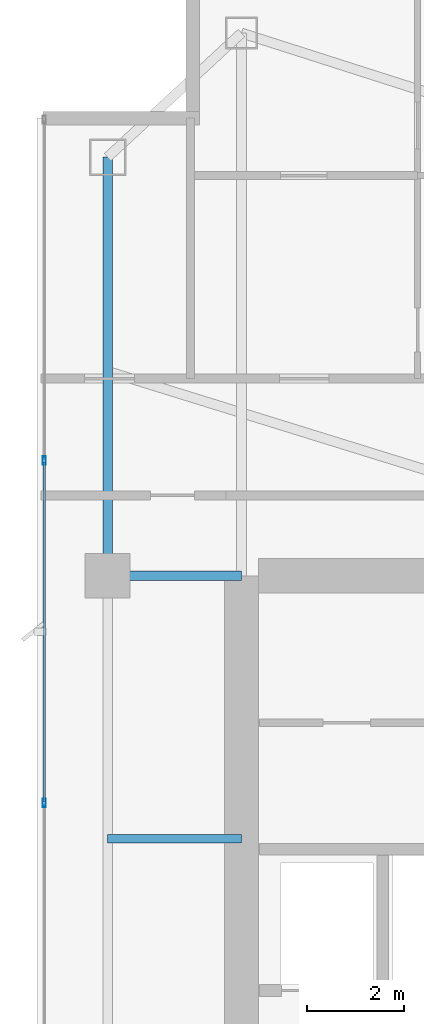
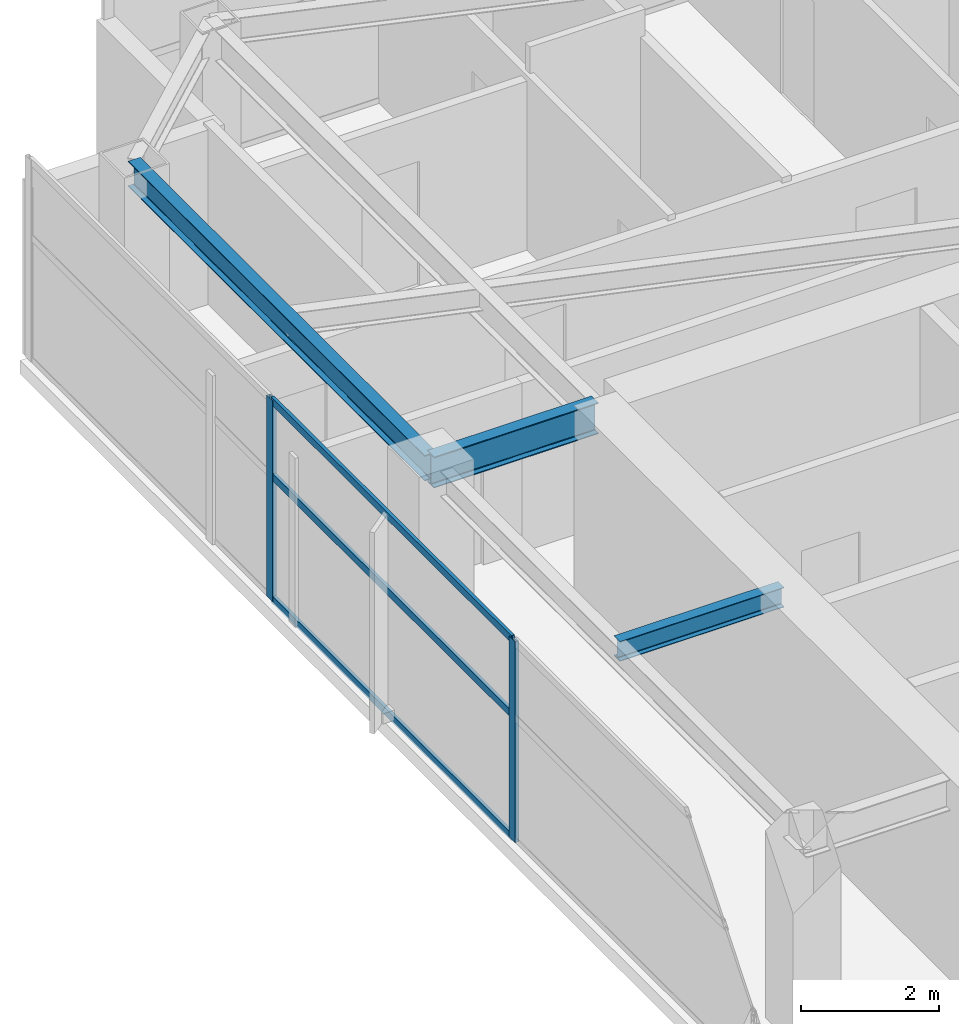
# One storey, part 16 of 29: 5 members, 3 beams, 1 element without a shape of its own.
"""IFC4 building model written with IfcOpenShell, lengths in metres."""

from ifc_helpers import new_model, si_unit, direction, frame, origin, origin_2d, place, context, subcontext, project, spatial, hollow_rectangle, i_section, extrude, material, layer, layer_set, material_profile, profile_set, type_object, element, aggregate, save


model = new_model("IFC4")

# Units and contexts
model_context = context("Model", 3, precision=1e-05, world=origin(), true_north=direction((0.0, 1.0)))
body_context = subcontext(model_context, "Body", "Model", "MODEL_VIEW")
ifc_project = project(units=[si_unit("LENGTHUNIT", "METRE"), si_unit("AREAUNIT", "SQUARE_METRE"), si_unit("VOLUMEUNIT", "CUBIC_METRE"), si_unit("PLANEANGLEUNIT", "RADIAN"), si_unit("MASSUNIT", "GRAM", prefix="KILO")], contexts=[model_context])

# Site, building, storey
site_placement = place(None, origin())
site = spatial("IfcSite", under=ifc_project, at=site_placement, CompositionType="ELEMENT")
building_placement = place(site_placement, origin())
building = spatial("IfcBuilding", under=site, at=building_placement, Name="Calvorn Quay Hotel", CompositionType="ELEMENT")
storey_placement = place(building_placement, frame((0.0, 0.0, 255.199951171875)))
storey = spatial("IfcBuildingStorey", under=building, at=storey_placement, Name="L63", CompositionType="ELEMENT", Elevation=255.199951171875)

# Beams
ifc_material_1 = material(Name="Steel Q355B", Category="steel")
ifc_material_profile_1 = material_profile(ifc_material_1, i_section(OverallWidth=0.199951171875, OverallDepth=0.550048828125, WebThickness=0.010009765625, FlangeThickness=0.01611328125, FilletRadius=0.01806640625, at=origin_2d()), Name="HN550x200x10x16")
ifc_profile_set_1 = profile_set([ifc_material_profile_1], Name="Steel Q355B")
beam_type_1 = type_object("IfcBeamType", Name="BM-GIRD-UPP", PredefinedType="BEAM", material=ifc_profile_set_1)
beam_1_placement = place(storey_placement, frame((1.449951171875, 38.39990234375, 3.26513671875), z_axis=(1.0, 0.0, 0.0), x_axis=(0.0, 1.0, 0.0)))
element("IfcBeam", 1, at=beam_1_placement, inside=storey, type_object=beam_type_1, Name="Beam BG-L63-W3", PredefinedType="BEAM", context=body_context, shape_type="SweptSolid", body=[
    extrude(i_section(OverallWidth=0.199951171875, OverallDepth=0.550048828125, WebThickness=0.010009765625, FlangeThickness=0.01611328125, FilletRadius=0.01806640625, at=origin_2d()), origin(), (0.0, 0.0, 1.0), 2.75),
])
ifc_material_2 = material(Name="Steel Q355B", Category="steel")
ifc_material_profile_2 = material_profile(ifc_material_2, i_section(OverallWidth=0.175048828125, OverallDepth=0.35009765625, WebThickness=0.007080078125, FlangeThickness=0.010986328125, FilletRadius=0.013916015625, at=origin_2d()), Name="HN350x175x7x11")
ifc_profile_set_2 = profile_set([ifc_material_profile_2], Name="Steel Q355B")
beam_type_2 = type_object("IfcBeamType", Name="BM-JOIST-SEC", PredefinedType="JOIST", material=ifc_profile_set_2)
beam_2_placement = place(storey_placement, frame((1.449951171875, 33.0, 3.364990234375), z_axis=(1.0, 0.0, 0.0), x_axis=(0.0, 1.0, 0.0)))
element("IfcBeam", 2, at=beam_2_placement, inside=storey, type_object=beam_type_2, Name="Beam BJ-L63-W4", PredefinedType="JOIST", context=body_context, shape_type="SweptSolid", body=[
    extrude(i_section(OverallWidth=0.175048828125, OverallDepth=0.35009765625, WebThickness=0.007080078125, FlangeThickness=0.010986328125, FilletRadius=0.013916015625, at=origin_2d()), origin(), (0.0, 0.0, 1.0), 2.75),
])
ifc_material_3 = material(Name="Steel Q355B", Category="steel")
ifc_material_profile_3 = material_profile(ifc_material_3, i_section(OverallWidth=0.199951171875, OverallDepth=0.449951171875, WebThickness=0.009033203125, FlangeThickness=0.013916015625, FilletRadius=0.01611328125, at=origin_2d()), Name="HN450x200x9x14")
ifc_profile_set_3 = profile_set([ifc_material_profile_3], Name="Steel Q355B")
beam_type_3 = type_object("IfcBeamType", Name="BM-SPANDREL-Z3", PredefinedType="SPANDREL", material=ifc_profile_set_3)
beam_3_placement = place(storey_placement, frame((1.449951171875, 38.39990234375, 3.31494140625), z_axis=(0.0, 1.0, 0.0), x_axis=(-1.0, 0.0, 0.0)))
element("IfcBeam", 3, at=beam_3_placement, inside=storey, type_object=beam_type_3, Name="Beam BSP-L63-W4", PredefinedType="SPANDREL", context=body_context, shape_type="SweptSolid", body=[
    extrude(i_section(OverallWidth=0.199951171875, OverallDepth=0.449951171875, WebThickness=0.009033203125, FlangeThickness=0.013916015625, FilletRadius=0.01611328125, at=origin_2d()), origin(), (0.0, 0.0, 1.0), 8.60009765625),
])

# Curtain wall, members
ifc_material_4 = material(Name="Champagne Bronze Anodised Aluminium and Low-E Glass", Category="aluminium")
ifc_layer = layer(ifc_material_4, 0.219970703125)
ifc_layer_set = layer_set([ifc_layer], Name="CW-SYS-Z4")
curtain_wall_type = type_object("IfcCurtainWallType", Name="CW-SYS-Z4", PredefinedType="NOTDEFINED", material=ifc_layer_set)
curtain_wall_placement = place(storey_placement, origin())
curtain_wall = element("IfcCurtainWall", 4, at=curtain_wall_placement, inside=storey, type_object=curtain_wall_type, Name="Tower West Curtain Wall (L63)", PredefinedType="NOTDEFINED")
ifc_material_5 = material(Name="Champagne Bronze Anodised Aluminium 6063-T6", Category="aluminium")
ifc_material_profile_4 = material_profile(ifc_material_5, hollow_rectangle(XDim=0.06494140625, YDim=0.169921875, WallThickness=0.00341796875, at=origin_2d()), Name="ALU-M170x65x3.5")
ifc_profile_set_4 = profile_set([ifc_material_profile_4], Name="Champagne Bronze Anodised Aluminium 6063-T6")
member_type_1 = type_object("IfcMemberType", Name="CW-SYS-Z4-MUL", PredefinedType="MULLION", material=ifc_profile_set_4)
member_1_placement = place(storey_placement, frame((0.14990234375, 33.7333984375, 0.0), z_axis=(0.0, 0.0, 1.0), x_axis=(-1.0, 0.0, 0.0)))
member_1 = element("IfcMember", 5, at=member_1_placement, type_object=member_type_1, Name="CW-L63-W mullion 5", PredefinedType="MULLION", context=body_context, shape_type="SweptSolid", body=[
    extrude(hollow_rectangle(XDim=0.06494140625, YDim=0.169921875, WallThickness=0.00341796875, at=origin_2d()), origin(), (0.0, 0.0, 1.0), 3.56005859375),
])
member_2_placement = place(storey_placement, frame((0.14990234375, 40.7666015625, 0.0), z_axis=(0.0, 0.0, 1.0), x_axis=(-1.0, 0.0, 0.0)))
member_2 = element("IfcMember", 6, at=member_2_placement, type_object=member_type_1, Name="CW-L63-W mullion 6", PredefinedType="MULLION", context=body_context, shape_type="SweptSolid", body=[
    extrude(hollow_rectangle(XDim=0.06494140625, YDim=0.169921875, WallThickness=0.00341796875, at=origin_2d()), origin(), (0.0, 0.0, 1.0), 3.56005859375),
])
ifc_material_6 = material(Name="Champagne Bronze Anodised Aluminium 6063-T6", Category="aluminium")
ifc_material_profile_5 = material_profile(ifc_material_6, hollow_rectangle(XDim=0.054931640625, YDim=0.1298828125, WallThickness=0.003173828125, at=origin_2d()), Name="ALU-T130x55x3.2")
ifc_profile_set_5 = profile_set([ifc_material_profile_5], Name="Champagne Bronze Anodised Aluminium 6063-T6")
member_type_2 = type_object("IfcMemberType", Name="CW-SYS-Z4-TRN", PredefinedType="USERDEFINED", material=ifc_profile_set_5)
member_3_placement = place(storey_placement, frame((0.14990234375, 33.763427734375, 0.030029296875), z_axis=(0.0, 1.0, 0.0), x_axis=(-1.0, 0.0, 0.0)))
member_3 = element("IfcMember", 7, at=member_3_placement, type_object=member_type_2, Name="CW-L63-W transom 5.1", ObjectType="TRANSOM", PredefinedType="USERDEFINED", context=body_context, shape_type="SweptSolid", body=[
    extrude(hollow_rectangle(XDim=0.054931640625, YDim=0.1298828125, WallThickness=0.003173828125, at=origin_2d()), origin(), (0.0, 0.0, 1.0), 6.97314453125),
])
member_4_placement = place(storey_placement, frame((0.14990234375, 33.763427734375, 2.199951171875), z_axis=(0.0, 1.0, 0.0), x_axis=(-1.0, 0.0, 0.0)))
member_4 = element("IfcMember", 8, at=member_4_placement, type_object=member_type_2, Name="CW-L63-W transom 5.2", ObjectType="TRANSOM", PredefinedType="USERDEFINED", context=body_context, shape_type="SweptSolid", body=[
    extrude(hollow_rectangle(XDim=0.054931640625, YDim=0.1298828125, WallThickness=0.003173828125, at=origin_2d()), origin(), (0.0, 0.0, 1.0), 6.97314453125),
])
member_5_placement = place(storey_placement, frame((0.14990234375, 33.763427734375, 3.530029296875), z_axis=(0.0, 1.0, 0.0), x_axis=(-1.0, 0.0, 0.0)))
member_5 = element("IfcMember", 9, at=member_5_placement, type_object=member_type_2, Name="CW-L63-W transom 5.3", ObjectType="TRANSOM", PredefinedType="USERDEFINED", context=body_context, shape_type="SweptSolid", body=[
    extrude(hollow_rectangle(XDim=0.054931640625, YDim=0.1298828125, WallThickness=0.003173828125, at=origin_2d()), origin(), (0.0, 0.0, 1.0), 6.97314453125),
])
aggregate(curtain_wall, [member_1, member_2, member_3, member_4, member_5])

save(model, "model.ifc")
